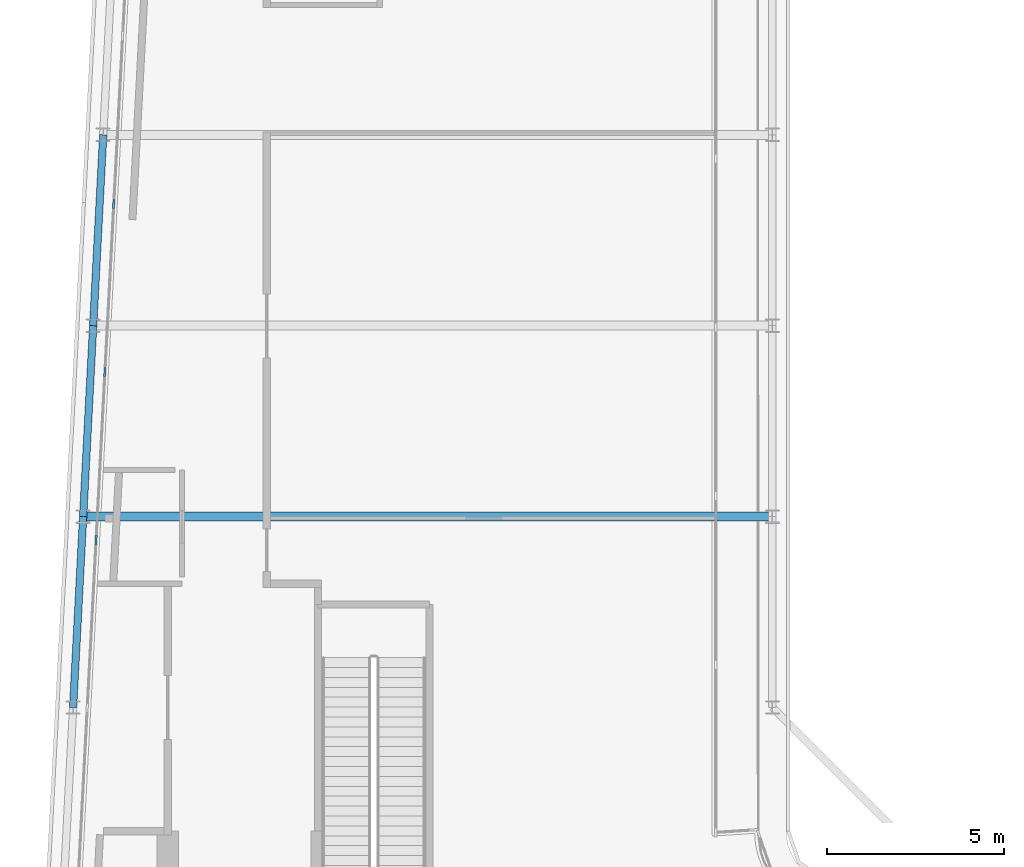
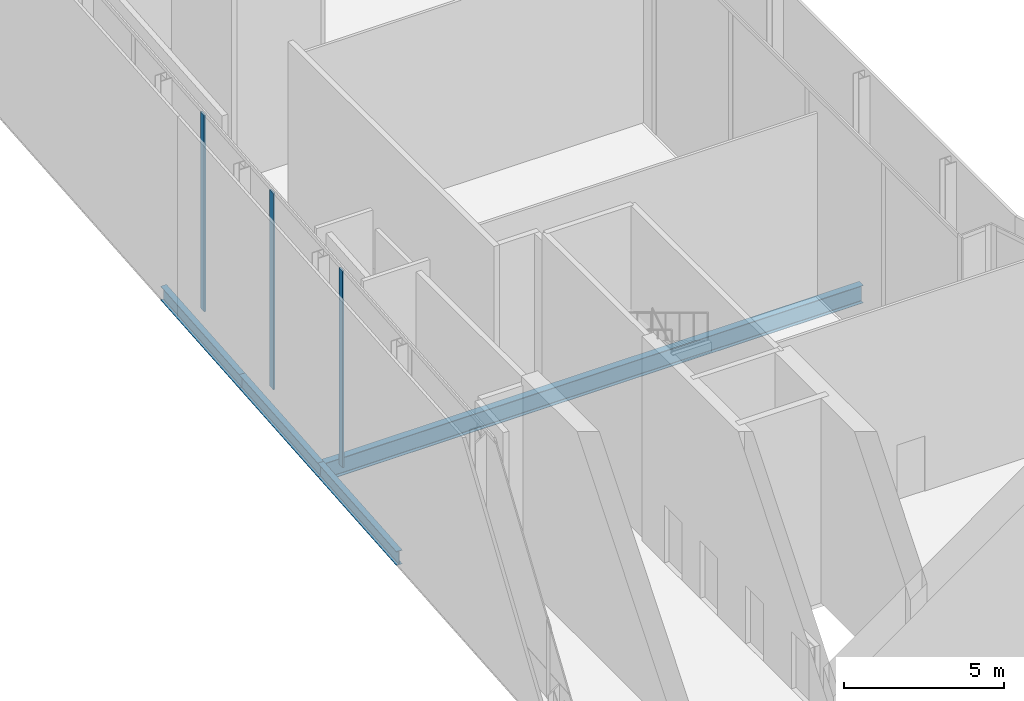
# One storey, part 9 of 27: 4 beams, 3 members, 1 element without a shape of its own.
"""IFC4 building model written with IfcOpenShell, lengths in metres."""

from ifc_helpers import new_model, si_unit, direction, frame, origin, origin_2d, place, context, subcontext, project, spatial, rectangle, i_section, extrude, material, layer, layer_set, material_profile, profile_set, type_object, element, aggregate, save


model = new_model("IFC4")

# Units and contexts
model_context = context("Model", 3, precision=1e-05, world=origin(), true_north=direction((0.0, 1.0)))
body_context = subcontext(model_context, "Body", "Model", "MODEL_VIEW")
ifc_project = project(units=[si_unit("LENGTHUNIT", "METRE"), si_unit("AREAUNIT", "SQUARE_METRE"), si_unit("VOLUMEUNIT", "CUBIC_METRE"), si_unit("PLANEANGLEUNIT", "RADIAN"), si_unit("MASSUNIT", "GRAM", prefix="KILO")], contexts=[model_context])

# Site, building, storey
site_placement = place(None, origin())
site = spatial("IfcSite", under=ifc_project, at=site_placement, CompositionType="ELEMENT")
building_placement = place(site_placement, origin())
building = spatial("IfcBuilding", under=site, at=building_placement, Name="Kheshtan School and Residences Tower", CompositionType="ELEMENT")
storey_placement = place(building_placement, frame((0.0, 0.0, 266.89990234375)))
storey = spatial("IfcBuildingStorey", under=building, at=storey_placement, Name="L63", CompositionType="ELEMENT", Elevation=266.89990234375)

# Beams
ifc_material_1 = material(Name="Steel ASTM A992 Grade 50", Category="steel")
ifc_material_profile_1 = material_profile(ifc_material_1, i_section(OverallWidth=0.2529296875, OverallDepth=0.677978515625, WebThickness=0.01171875, FlangeThickness=0.016357421875, FilletRadius=0.0146484375, at=origin_2d()), Name="W690x125")
ifc_profile_set_1 = profile_set([ifc_material_profile_1], Name="Steel ASTM A992 Grade 50")
beam_type_1 = type_object("IfcBeamType", Name="Beam FB6 W690x125 ASTM A992 Grade 50", PredefinedType="BEAM", material=ifc_profile_set_1)
beam_1_placement = place(storey_placement, frame((47.60009765625, 56.39990234375, -0.489013671875), z_axis=(-1.0, 0.0, 0.0), x_axis=(0.0, -1.0, 0.0)))
element("IfcBeam", 1, at=beam_1_placement, inside=storey, type_object=beam_type_1, Name="Floor beam C081", PredefinedType="BEAM", context=body_context, shape_type="SweptSolid", body=[
    extrude(i_section(OverallWidth=0.2529296875, OverallDepth=0.677978515625, WebThickness=0.01171875, FlangeThickness=0.016357421875, FilletRadius=0.0146484375, at=origin_2d()), origin(), (0.0, 0.0, 1.0), 19.494140625),
])
ifc_material_profile_2 = material_profile(ifc_material_1, i_section(OverallWidth=0.208984375, OverallDepth=0.532958984375, WebThickness=0.01025390625, FlangeThickness=0.015625, FilletRadius=0.013916015625, at=origin_2d()), Name="W530x92")
ifc_profile_set_2 = profile_set([ifc_material_profile_2], Name="Steel ASTM A992 Grade 50")
beam_type_2 = type_object("IfcBeamType", Name="Beam SP3 W530x92 ASTM A992 Grade 50", PredefinedType="BEAM", material=ifc_profile_set_2)
beam_2_placement = place(storey_placement, frame((27.822021484375, 51.0, -0.41650390625), z_axis=(0.05250906864, 0.998620447272, 0.0), x_axis=(-0.998620447272, 0.05250906864, 0.0)))
element("IfcBeam", 2, at=beam_2_placement, inside=storey, type_object=beam_type_2, Name="Spandrel beam C078-C080", PredefinedType="BEAM", context=body_context, shape_type="SweptSolid", body=[
    extrude(i_section(OverallWidth=0.208984375, OverallDepth=0.532958984375, WebThickness=0.01025390625, FlangeThickness=0.015625, FilletRadius=0.013916015625, at=origin_2d()), origin(), (0.0, 0.0, 1.0), 5.407470703125),
])
beam_3_placement = place(storey_placement, frame((28.10595703125, 56.39990234375, -0.41650390625), z_axis=(0.05250670125, 0.998620571751, 0.0), x_axis=(-0.998620571751, 0.05250670125, 0.0)))
element("IfcBeam", 3, at=beam_3_placement, inside=storey, type_object=beam_type_2, Name="Spandrel beam C080-C082", PredefinedType="BEAM", context=body_context, shape_type="SweptSolid", body=[
    extrude(i_section(OverallWidth=0.208984375, OverallDepth=0.532958984375, WebThickness=0.01025390625, FlangeThickness=0.015625, FilletRadius=0.013916015625, at=origin_2d()), origin(), (0.0, 0.0, 1.0), 5.40771484375),
])
beam_4_placement = place(storey_placement, frame((28.389892578125, 61.800048828125, -0.41650390625), z_axis=(0.052554093665, 0.998618078766, 0.0), x_axis=(-0.998618078766, 0.052554093665, 0.0)))
element("IfcBeam", 4, at=beam_4_placement, inside=storey, type_object=beam_type_2, Name="Spandrel beam C082-C084", PredefinedType="BEAM", context=body_context, shape_type="SweptSolid", body=[
    extrude(i_section(OverallWidth=0.208984375, OverallDepth=0.532958984375, WebThickness=0.01025390625, FlangeThickness=0.015625, FilletRadius=0.013916015625, at=origin_2d()), origin(), (0.0, 0.0, 1.0), 5.407470703125),
])

# Curtain wall, members
ifc_material_2 = material(Name="Clear low-e glass in thermally broken aluminium frame", Category="aluminium")
ifc_layer = layer(ifc_material_2, 0.25)
ifc_layer_set = layer_set([ifc_layer], Name="Curtain wall CW-K")
curtain_wall_type = type_object("IfcCurtainWallType", Name="Curtain wall CW-K", PredefinedType="NOTDEFINED", material=ifc_layer_set)
curtain_wall_placement = place(storey_placement, origin())
curtain_wall = element("IfcCurtainWall", 5, at=curtain_wall_placement, inside=storey, type_object=curtain_wall_type, Name="Curtain wall CWK10a", PredefinedType="NOTDEFINED")
ifc_material_3 = material(Name="Thermally broken aluminium, dark bronze anodised", Category="aluminium")
ifc_material_profile_3 = material_profile(ifc_material_3, rectangle(XDim=0.06005859375, YDim=0.25, at=origin_2d()), Name="CW-K mullion 60x250")
ifc_profile_set_3 = profile_set([ifc_material_profile_3], Name="Thermally broken aluminium, dark bronze anodised")
member_type = type_object("IfcMemberType", Name="CW-K mullion 60x250", PredefinedType="MULLION", material=ifc_profile_set_3)
member_1_placement = place(storey_placement, frame((28.470947265625, 55.737060546875, 0.0), z_axis=(0.0, 0.0, 1.0), x_axis=(-0.998617497599, 0.05256513568, 0.0)))
member_1 = element("IfcMember", 6, at=member_1_placement, type_object=member_type, Name="CWK10a mullion 6", PredefinedType="MULLION", context=body_context, shape_type="SweptSolid", body=[
    extrude(rectangle(XDim=0.06005859375, YDim=0.25, at=origin_2d()), origin(), (0.0, 0.0, 1.0), 7.489990234375),
])
member_2_placement = place(storey_placement, frame((28.720947265625, 60.489013671875, 0.0), z_axis=(0.0, 0.0, 1.0), x_axis=(-0.998617497599, 0.05256513568, 0.0)))
member_2 = element("IfcMember", 7, at=member_2_placement, type_object=member_type, Name="CWK10a mullion 7", PredefinedType="MULLION", context=body_context, shape_type="SweptSolid", body=[
    extrude(rectangle(XDim=0.06005859375, YDim=0.25, at=origin_2d()), origin(), (0.0, 0.0, 1.0), 7.489990234375),
])
member_3_placement = place(storey_placement, frame((28.97119140625, 65.2412109375, 0.0), z_axis=(0.0, 0.0, 1.0), x_axis=(-0.998617497599, 0.05256513568, 0.0)))
member_3 = element("IfcMember", 8, at=member_3_placement, type_object=member_type, Name="CWK10a mullion 8", PredefinedType="MULLION", context=body_context, shape_type="SweptSolid", body=[
    extrude(rectangle(XDim=0.06005859375, YDim=0.25, at=origin_2d()), origin(), (0.0, 0.0, 1.0), 7.489990234375),
])
aggregate(curtain_wall, [member_1, member_2, member_3])

save(model, "model.ifc")
